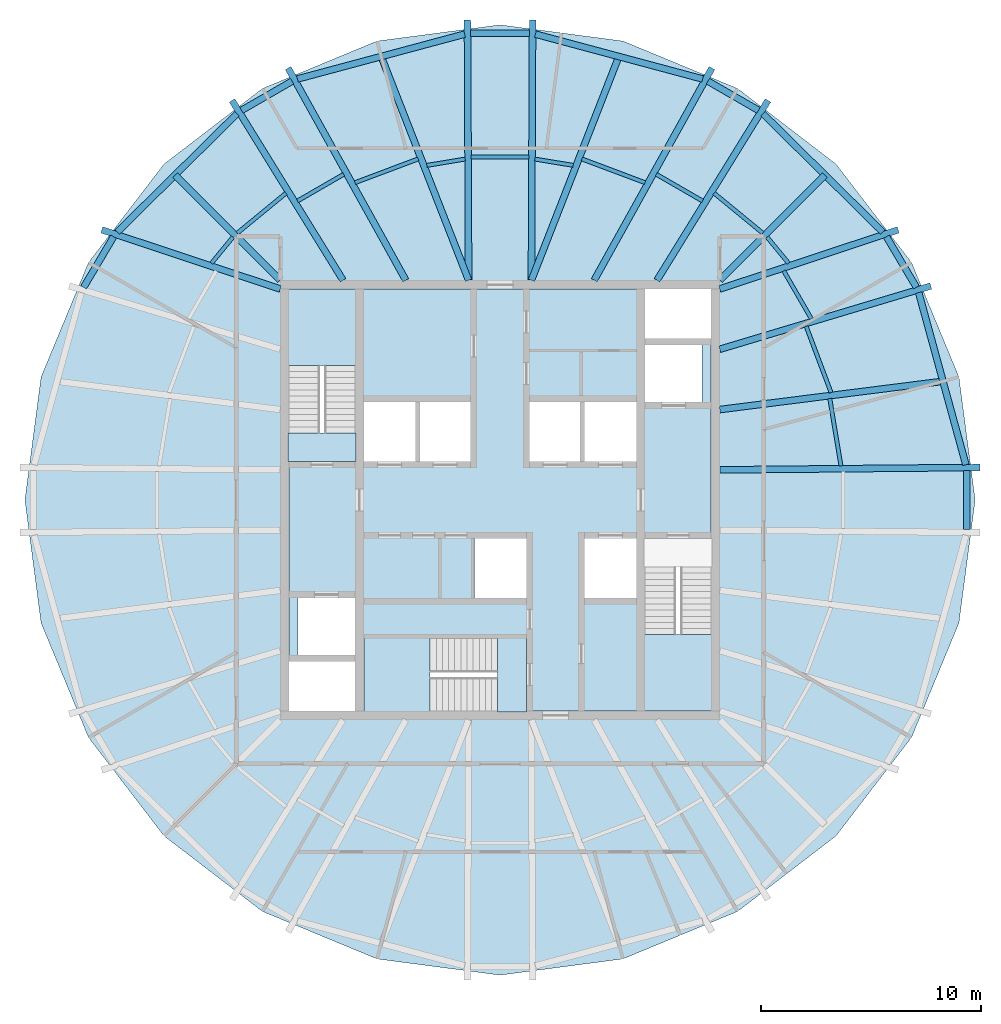
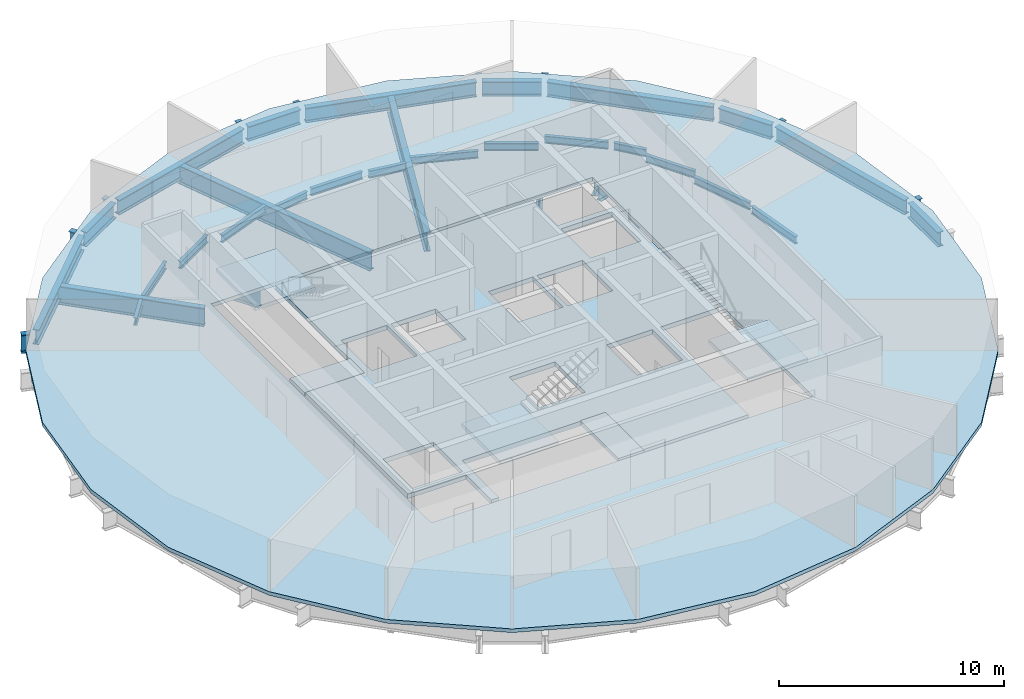
# One storey, part 2 of 6: 40 beams, 7 slabs, 3 elements without a shape of their own.
"""IFC4 building model written with IfcOpenShell, lengths in metres."""

from ifc_helpers import new_model, si_unit, direction, frame, origin, origin_2d, place, context, subcontext, project, spatial, polyline, i_section, outline, extrude, material, layer, layer_set, material_profile, profile_set, type_object, element, aggregate, save


model = new_model("IFC4")

# Units and contexts
model_context = context("Model", 3, precision=1e-05, world=origin(), true_north=direction((0.0, 1.0)))
body_context = subcontext(model_context, "Body", "Model", "MODEL_VIEW")
ifc_project = project(units=[si_unit("LENGTHUNIT", "METRE"), si_unit("AREAUNIT", "SQUARE_METRE"), si_unit("VOLUMEUNIT", "CUBIC_METRE"), si_unit("PLANEANGLEUNIT", "RADIAN"), si_unit("MASSUNIT", "GRAM", prefix="KILO")], contexts=[model_context])

# Site, building, storey
site_placement = place(None, origin())
site = spatial("IfcSite", under=ifc_project, at=site_placement, CompositionType="ELEMENT")
building_placement = place(site_placement, origin())
building = spatial("IfcBuilding", under=site, at=building_placement, Name="Golbaran Civic Tower", CompositionType="ELEMENT")
storey_placement = place(building_placement, frame((0.0, 0.0, 276.0)))
storey = spatial("IfcBuildingStorey", under=building, at=storey_placement, Name="L67", CompositionType="ELEMENT", Elevation=276.0)

# Beams
ifc_material_1 = material(Name="Steel S355", Category="steel")
ifc_material_profile_1 = material_profile(ifc_material_1, i_section(OverallWidth=0.300048828125, OverallDepth=0.800048828125, WebThickness=0.017578125, FlangeThickness=0.032958984375, FilletRadius=0.030029296875, at=origin_2d()), Name="HEB 800")
ifc_profile_set_1 = profile_set([ifc_material_profile_1], Name="Steel S355")
beam_type_1 = type_object("IfcBeamType", Name="EDGE BEAM HEB 800", PredefinedType="BEAM", material=ifc_profile_set_1)
beam_1_placement = place(storey_placement, frame((21.19677734375, 1.603759765625, -0.60009765625), z_axis=(-0.264462655169, 0.964395927004, 0.0), x_axis=(-0.964395927004, -0.264462655169, 0.0)))
element("IfcBeam", 1, at=beam_1_placement, inside=storey, type_object=beam_type_1, Name="Edge beam 3.80 L67", PredefinedType="BEAM", context=body_context, shape_type="SweptSolid", body=[
    extrude(i_section(OverallWidth=0.300048828125, OverallDepth=0.800048828125, WebThickness=0.017578125, FlangeThickness=0.032958984375, FilletRadius=0.030029296875, at=origin_2d()), origin(), (0.0, 0.0, 1.0), 8.121826171875),
])
beam_2_placement = place(storey_placement, frame((18.946044921875, 9.67724609375, -0.60009765625), z_axis=(-0.509912443574, 0.860226307368, 0.0), x_axis=(-0.860226307368, -0.509912443574, 0.0)))
element("IfcBeam", 2, at=beam_2_placement, inside=storey, type_object=beam_type_1, Name="Edge beam 26.20 L67", PredefinedType="BEAM", context=body_context, shape_type="SweptSolid", body=[
    extrude(i_section(OverallWidth=0.300048828125, OverallDepth=0.800048828125, WebThickness=0.017578125, FlangeThickness=0.032958984375, FilletRadius=0.030029296875, at=origin_2d()), origin(), (0.0, 0.0, 1.0), 2.675537109375),
])
beam_3_placement = place(storey_placement, frame((17.41015625, 12.19580078125, -0.60009765625), z_axis=(-0.711498621038, 0.702687492604, 0.0), x_axis=(-0.702687492604, -0.711498621038, 0.0)))
element("IfcBeam", 3, at=beam_3_placement, inside=storey, type_object=beam_type_1, Name="Edge beam 33.80 L67", PredefinedType="BEAM", context=body_context, shape_type="SweptSolid", body=[
    extrude(i_section(OverallWidth=0.300048828125, OverallDepth=0.800048828125, WebThickness=0.017578125, FlangeThickness=0.032958984375, FilletRadius=0.030029296875, at=origin_2d()), origin(), (0.0, 0.0, 1.0), 7.6474609375),
])
beam_4_placement = place(storey_placement, frame((11.76123046875, 17.728271484375, -0.60009765625), z_axis=(-0.866188645751, 0.499717149968, 0.0), x_axis=(-0.499717149968, -0.866188645751, 0.0)))
element("IfcBeam", 4, at=beam_4_placement, inside=storey, type_object=beam_type_1, Name="Edge beam 56.20 L67", PredefinedType="BEAM", context=body_context, shape_type="SweptSolid", body=[
    extrude(i_section(OverallWidth=0.300048828125, OverallDepth=0.800048828125, WebThickness=0.017578125, FlangeThickness=0.032958984375, FilletRadius=0.030029296875, at=origin_2d()), origin(), (0.0, 0.0, 1.0), 2.65673828125),
])
beam_5_placement = place(storey_placement, frame((9.218017578125, 19.155517578125, -0.60009765625), z_axis=(-0.965839810381, 0.259139847732, 0.0), x_axis=(-0.259139847732, -0.965839810381, 0.0)))
element("IfcBeam", 5, at=beam_5_placement, inside=storey, type_object=beam_type_1, Name="Edge beam 63.80 L67", PredefinedType="BEAM", context=body_context, shape_type="SweptSolid", body=[
    extrude(i_section(OverallWidth=0.300048828125, OverallDepth=0.800048828125, WebThickness=0.017578125, FlangeThickness=0.032958984375, FilletRadius=0.030029296875, at=origin_2d()), origin(), (0.0, 0.0, 1.0), 7.8779296875),
])
beam_6_placement = place(storey_placement, frame((1.34912109375, 21.23193359375, -0.60009765625), z_axis=(-1.0, 0.0, 0.0), x_axis=(0.0, -1.0, 0.0)))
element("IfcBeam", 6, at=beam_6_placement, inside=storey, type_object=beam_type_1, Name="Edge beam 86.20 L67", PredefinedType="BEAM", context=body_context, shape_type="SweptSolid", body=[
    extrude(i_section(OverallWidth=0.300048828125, OverallDepth=0.800048828125, WebThickness=0.017578125, FlangeThickness=0.032958984375, FilletRadius=0.030029296875, at=origin_2d()), origin(), (0.0, 0.0, 1.0), 2.6982421875),
])
beam_7_placement = place(storey_placement, frame((-1.609130859375, 21.197021484375, -0.60009765625), z_axis=(-0.965839810381, -0.259139847732, 0.0), x_axis=(0.259139847732, -0.965839810381, 0.0)))
element("IfcBeam", 7, at=beam_7_placement, inside=storey, type_object=beam_type_1, Name="Edge beam 93.80 L67", PredefinedType="BEAM", context=body_context, shape_type="SweptSolid", body=[
    extrude(i_section(OverallWidth=0.300048828125, OverallDepth=0.800048828125, WebThickness=0.017578125, FlangeThickness=0.032958984375, FilletRadius=0.030029296875, at=origin_2d()), origin(), (0.0, 0.0, 1.0), 7.8779296875),
])
beam_8_placement = place(storey_placement, frame((-9.4599609375, 19.055908203125, -0.60009765625), z_axis=(-0.866188645751, -0.499717149968, 0.0), x_axis=(0.499717149968, -0.866188645751, 0.0)))
element("IfcBeam", 8, at=beam_8_placement, inside=storey, type_object=beam_type_1, Name="Edge beam 116.20 L67", PredefinedType="BEAM", context=body_context, shape_type="SweptSolid", body=[
    extrude(i_section(OverallWidth=0.300048828125, OverallDepth=0.800048828125, WebThickness=0.017578125, FlangeThickness=0.032958984375, FilletRadius=0.030029296875, at=origin_2d()), origin(), (0.0, 0.0, 1.0), 2.65673828125),
])
beam_9_placement = place(storey_placement, frame((-11.968994140625, 17.569580078125, -0.60009765625), z_axis=(-0.711498621038, -0.702687492604, 0.0), x_axis=(0.702687492604, -0.711498621038, 0.0)))
element("IfcBeam", 9, at=beam_9_placement, inside=storey, type_object=beam_type_1, Name="Edge beam 123.80 L67", PredefinedType="BEAM", context=body_context, shape_type="SweptSolid", body=[
    extrude(i_section(OverallWidth=0.300048828125, OverallDepth=0.800048828125, WebThickness=0.017578125, FlangeThickness=0.032958984375, FilletRadius=0.030029296875, at=origin_2d()), origin(), (0.0, 0.0, 1.0), 7.6474609375),
])
beam_10_placement = place(storey_placement, frame((-17.581787109375, 11.978759765625, -0.60009765625), z_axis=(-0.509912443574, -0.860226307368, 0.0), x_axis=(0.860226307368, -0.509912443574, 0.0)))
element("IfcBeam", 10, at=beam_10_placement, inside=storey, type_object=beam_type_1, Name="Edge beam 146.20 L67", PredefinedType="BEAM", context=body_context, shape_type="SweptSolid", body=[
    extrude(i_section(OverallWidth=0.300048828125, OverallDepth=0.800048828125, WebThickness=0.017578125, FlangeThickness=0.032958984375, FilletRadius=0.030029296875, at=origin_2d()), origin(), (0.0, 0.0, 1.0), 2.675537109375),
])
beam_11_placement = place(storey_placement, frame((21.232177734375, -1.343994140625, -0.60009765625), z_axis=(0.0, 1.0, 0.0), x_axis=(-1.0, 0.0, 0.0)))
element("IfcBeam", 11, at=beam_11_placement, inside=storey, type_object=beam_type_1, Name="Edge beam 356.20 L67", PredefinedType="BEAM", context=body_context, shape_type="SweptSolid", body=[
    extrude(i_section(OverallWidth=0.300048828125, OverallDepth=0.800048828125, WebThickness=0.017578125, FlangeThickness=0.032958984375, FilletRadius=0.030029296875, at=origin_2d()), origin(), (0.0, 0.0, 1.0), 2.68798828125),
])
ifc_material_profile_2 = material_profile(ifc_material_1, i_section(OverallWidth=0.179931640625, OverallDepth=0.39990234375, WebThickness=0.008544921875, FlangeThickness=0.013427734375, FilletRadius=0.02099609375, at=origin_2d()), Name="IPE 400")
ifc_profile_set_2 = profile_set([ifc_material_profile_2], Name="Steel S355")
beam_type_2 = type_object("IfcBeamType", Name="FLOOR INFILL BEAM IPE 400", PredefinedType="BEAM", material=ifc_profile_set_2)
beam_12_placement = place(storey_placement, frame((15.51220703125, 1.5517578125, -0.39990234375), z_axis=(-0.163354081332, 0.98656750611, 0.0), x_axis=(-0.98656750611, -0.163354081332, 0.0)))
element("IfcBeam", 12, at=beam_12_placement, inside=storey, type_object=beam_type_2, Name="Infill beam 9.40 L67", PredefinedType="BEAM", context=body_context, shape_type="SweptSolid", body=[
    extrude(i_section(OverallWidth=0.179931640625, OverallDepth=0.39990234375, WebThickness=0.008544921875, FlangeThickness=0.013427734375, FilletRadius=0.02099609375, at=origin_2d()), origin(), (0.0, 0.0, 1.0), 3.107177734375),
])
beam_13_placement = place(storey_placement, frame((15.062744140625, 4.886474609375, -0.39990234375), z_axis=(-0.351871123125, 0.93604845639, 0.0), x_axis=(-0.93604845639, -0.351871123125, 0.0)))
element("IfcBeam", 13, at=beam_13_placement, inside=storey, type_object=beam_type_2, Name="Infill beam 20.60 L67", PredefinedType="BEAM", context=body_context, shape_type="SweptSolid", body=[
    extrude(i_section(OverallWidth=0.179931640625, OverallDepth=0.39990234375, WebThickness=0.008544921875, FlangeThickness=0.013427734375, FilletRadius=0.02099609375, at=origin_2d()), origin(), (0.0, 0.0, 1.0), 3.219970703125),
])
beam_14_placement = place(storey_placement, frame((14.166748046875, 8.2431640625, -0.39990234375), z_axis=(-0.500001778212, 0.866024377131, 0.0), x_axis=(-0.866024377131, -0.500001778212, 0.0)))
element("IfcBeam", 14, at=beam_14_placement, inside=storey, type_object=beam_type_2, Name="Infill beam 30.00 L67", PredefinedType="BEAM", context=body_context, shape_type="SweptSolid", body=[
    extrude(i_section(OverallWidth=0.179931640625, OverallDepth=0.39990234375, WebThickness=0.008544921875, FlangeThickness=0.013427734375, FilletRadius=0.02099609375, at=origin_2d()), origin(), (0.0, 0.0, 1.0), 2.52197265625),
])
beam_15_placement = place(storey_placement, frame((13.127197265625, 10.774658203125, -0.39990234375), z_axis=(-0.634729286709, 0.772734580949, 0.0), x_axis=(-0.772734580949, -0.634729286709, 0.0)))
element("IfcBeam", 15, at=beam_15_placement, inside=storey, type_object=beam_type_2, Name="Infill beam 39.40 L67", PredefinedType="BEAM", context=body_context, shape_type="SweptSolid", body=[
    extrude(i_section(OverallWidth=0.179931640625, OverallDepth=0.39990234375, WebThickness=0.008544921875, FlangeThickness=0.013427734375, FilletRadius=0.02099609375, at=origin_2d()), origin(), (0.0, 0.0, 1.0), 1.540771484375),
])
beam_16_placement = place(storey_placement, frame((11.956298828125, 12.14013671875, -0.39990234375), z_axis=(-0.772738185777, 0.634724898079, 0.0), x_axis=(-0.634724898079, -0.772738185777, 0.0)))
element("IfcBeam", 16, at=beam_16_placement, inside=storey, type_object=beam_type_2, Name="Infill beam 50.60 L67", PredefinedType="BEAM", context=body_context, shape_type="SweptSolid", body=[
    extrude(i_section(OverallWidth=0.179931640625, OverallDepth=0.39990234375, WebThickness=0.008544921875, FlangeThickness=0.013427734375, FilletRadius=0.02099609375, at=origin_2d()), origin(), (0.0, 0.0, 1.0), 2.867431640625),
])
beam_17_placement = place(storey_placement, frame((9.2158203125, 13.60498046875, -0.39990234375), z_axis=(-0.866035116605, 0.499983176524, 0.0), x_axis=(-0.499983176524, -0.866035116605, 0.0)))
element("IfcBeam", 17, at=beam_17_placement, inside=storey, type_object=beam_type_2, Name="Infill beam 60.00 L67", PredefinedType="BEAM", context=body_context, shape_type="SweptSolid", body=[
    extrude(i_section(OverallWidth=0.179931640625, OverallDepth=0.39990234375, WebThickness=0.008544921875, FlangeThickness=0.013427734375, FilletRadius=0.02099609375, at=origin_2d()), origin(), (0.0, 0.0, 1.0), 2.431640625),
])
beam_18_placement = place(storey_placement, frame((6.599609375, 14.4375, -0.39990234375), z_axis=(-0.936083922818, 0.351776760804, 0.0), x_axis=(-0.351776760804, -0.936083922818, 0.0)))
element("IfcBeam", 18, at=beam_18_placement, inside=storey, type_object=beam_type_2, Name="Infill beam 69.40 L67", PredefinedType="BEAM", context=body_context, shape_type="SweptSolid", body=[
    extrude(i_section(OverallWidth=0.179931640625, OverallDepth=0.39990234375, WebThickness=0.008544921875, FlangeThickness=0.013427734375, FilletRadius=0.02099609375, at=origin_2d()), origin(), (0.0, 0.0, 1.0), 3.071044921875),
])
beam_19_placement = place(storey_placement, frame((3.330810546875, 15.223876953125, -0.39990234375), z_axis=(-0.986568466823, 0.163348279053, 0.0), x_axis=(-0.163348279053, -0.986568466823, 0.0)))
element("IfcBeam", 19, at=beam_19_placement, inside=storey, type_object=beam_type_2, Name="Infill beam 80.60 L67", PredefinedType="BEAM", context=body_context, shape_type="SweptSolid", body=[
    extrude(i_section(OverallWidth=0.179931640625, OverallDepth=0.39990234375, WebThickness=0.008544921875, FlangeThickness=0.013427734375, FilletRadius=0.02099609375, at=origin_2d()), origin(), (0.0, 0.0, 1.0), 1.77099609375),
])
beam_20_placement = place(storey_placement, frame((1.323974609375, 15.615966796875, -0.39990234375), z_axis=(-1.0, 0.0, 0.0), x_axis=(0.0, -1.0, 0.0)))
element("IfcBeam", 20, at=beam_20_placement, inside=storey, type_object=beam_type_2, Name="Infill beam 90.00 L67", PredefinedType="BEAM", context=body_context, shape_type="SweptSolid", body=[
    extrude(i_section(OverallWidth=0.179931640625, OverallDepth=0.39990234375, WebThickness=0.008544921875, FlangeThickness=0.013427734375, FilletRadius=0.02099609375, at=origin_2d()), origin(), (0.0, 0.0, 1.0), 2.64794921875),
])
beam_21_placement = place(storey_placement, frame((-1.58349609375, 15.51318359375, -0.39990234375), z_axis=(-0.986568466823, -0.163348279053, 0.0), x_axis=(0.163348279053, -0.986568466823, 0.0)))
element("IfcBeam", 21, at=beam_21_placement, inside=storey, type_object=beam_type_2, Name="Infill beam 99.40 L67", PredefinedType="BEAM", context=body_context, shape_type="SweptSolid", body=[
    extrude(i_section(OverallWidth=0.179931640625, OverallDepth=0.39990234375, WebThickness=0.008544921875, FlangeThickness=0.013427734375, FilletRadius=0.02099609375, at=origin_2d()), origin(), (0.0, 0.0, 1.0), 1.77099609375),
])
beam_22_placement = place(storey_placement, frame((-3.724853515625, 15.517822265625, -0.39990234375), z_axis=(-0.936083922818, -0.351776760804, 0.0), x_axis=(0.351776760804, -0.936083922818, 0.0)))
element("IfcBeam", 22, at=beam_22_placement, inside=storey, type_object=beam_type_2, Name="Infill beam 110.60 L67", PredefinedType="BEAM", context=body_context, shape_type="SweptSolid", body=[
    extrude(i_section(OverallWidth=0.179931640625, OverallDepth=0.39990234375, WebThickness=0.008544921875, FlangeThickness=0.013427734375, FilletRadius=0.02099609375, at=origin_2d()), origin(), (0.0, 0.0, 1.0), 3.071044921875),
])
beam_23_placement = place(storey_placement, frame((-7.10986328125, 14.82080078125, -0.39990234375), z_axis=(-0.866035116605, -0.499983176524, 0.0), x_axis=(0.499983176524, -0.866035116605, 0.0)))
element("IfcBeam", 23, at=beam_23_placement, inside=storey, type_object=beam_type_2, Name="Infill beam 120.00 L67", PredefinedType="BEAM", context=body_context, shape_type="SweptSolid", body=[
    extrude(i_section(OverallWidth=0.179931640625, OverallDepth=0.39990234375, WebThickness=0.008544921875, FlangeThickness=0.013427734375, FilletRadius=0.02099609375, at=origin_2d()), origin(), (0.0, 0.0, 1.0), 2.431640625),
])
beam_24_placement = place(storey_placement, frame((-9.740478515625, 13.960205078125, -0.39990234375), z_axis=(-0.772738185777, -0.634724898079, 0.0), x_axis=(0.634724898079, -0.772738185777, 0.0)))
element("IfcBeam", 24, at=beam_24_placement, inside=storey, type_object=beam_type_2, Name="Infill beam 129.40 L67", PredefinedType="BEAM", context=body_context, shape_type="SweptSolid", body=[
    extrude(i_section(OverallWidth=0.179931640625, OverallDepth=0.39990234375, WebThickness=0.008544921875, FlangeThickness=0.013427734375, FilletRadius=0.02099609375, at=origin_2d()), origin(), (0.0, 0.0, 1.0), 2.867431640625),
])
beam_25_placement = place(storey_placement, frame((-12.149169921875, 11.96533203125, -0.39990234375), z_axis=(-0.634729286709, -0.772734580949, 0.0), x_axis=(0.772734580949, -0.634729286709, 0.0)))
element("IfcBeam", 25, at=beam_25_placement, inside=storey, type_object=beam_type_2, Name="Infill beam 140.60 L67", PredefinedType="BEAM", context=body_context, shape_type="SweptSolid", body=[
    extrude(i_section(OverallWidth=0.179931640625, OverallDepth=0.39990234375, WebThickness=0.008544921875, FlangeThickness=0.013427734375, FilletRadius=0.02099609375, at=origin_2d()), origin(), (0.0, 0.0, 1.0), 1.540771484375),
])
ifc_material_profile_3 = material_profile(ifc_material_1, i_section(OverallWidth=0.300048828125, OverallDepth=1.0, WebThickness=0.01904296875, FlangeThickness=0.035888671875, FilletRadius=0.030029296875, at=origin_2d()), Name="HEB 1000")
ifc_profile_set_3 = profile_set([ifc_material_profile_3], Name="Steel S355")
beam_type_3 = type_object("IfcBeamType", Name="RADIAL FLOOR BEAM HEB 1000", PredefinedType="BEAM", material=ifc_profile_set_3)
beam_26_placement = place(storey_placement, frame((10.0, 1.371337890625, -0.7099609375), z_axis=(0.999958085099, 0.009155765689, 0.0), x_axis=(-0.009155765689, 0.999958085099, 0.0)))
element("IfcBeam", 26, at=beam_26_placement, inside=storey, type_object=beam_type_3, Name="Radial beam 3.80 L67", PredefinedType="BEAM", context=body_context, shape_type="SweptSolid", body=[
    extrude(i_section(OverallWidth=0.300048828125, OverallDepth=1.0, WebThickness=0.01904296875, FlangeThickness=0.035888671875, FilletRadius=0.030029296875, at=origin_2d()), origin(), (0.0, 0.0, 1.0), 11.83935546875),
])
beam_27_placement = place(storey_placement, frame((10.0, 6.857177734375, -0.7099609375), z_axis=(0.957814217612, 0.287388107863, 0.0), x_axis=(-0.287388107863, 0.957814217612, 0.0)))
element("IfcBeam", 27, at=beam_27_placement, inside=storey, type_object=beam_type_3, Name="Radial beam 26.20 L67", PredefinedType="BEAM", context=body_context, shape_type="SweptSolid", body=[
    extrude(i_section(OverallWidth=0.300048828125, OverallDepth=1.0, WebThickness=0.01904296875, FlangeThickness=0.035888671875, FilletRadius=0.030029296875, at=origin_2d()), origin(), (0.0, 0.0, 1.0), 10.0234375),
])
beam_28_placement = place(storey_placement, frame((10.0, 9.60009765625, -0.7099609375), z_axis=(0.949116429878, 0.314925392013, 0.0), x_axis=(-0.314925392013, 0.949116429878, 0.0)))
element("IfcBeam", 28, at=beam_28_placement, inside=storey, type_object=beam_type_3, Name="Radial beam 33.80 L67", PredefinedType="BEAM", context=body_context, shape_type="SweptSolid", body=[
    extrude(i_section(OverallWidth=0.300048828125, OverallDepth=1.0, WebThickness=0.01904296875, FlangeThickness=0.035888671875, FilletRadius=0.030029296875, at=origin_2d()), origin(), (0.0, 0.0, 1.0), 8.550048828125),
])
beam_29_placement = place(storey_placement, frame((7.142822265625, 10.0, -0.7099609375), z_axis=(0.525324151608, 0.850902189289, 0.0), x_axis=(-0.850902189289, 0.525324151608, 0.0)))
element("IfcBeam", 29, at=beam_29_placement, inside=storey, type_object=beam_type_3, Name="Radial beam 56.20 L67", PredefinedType="BEAM", context=body_context, shape_type="SweptSolid", body=[
    extrude(i_section(OverallWidth=0.300048828125, OverallDepth=1.0, WebThickness=0.01904296875, FlangeThickness=0.035888671875, FilletRadius=0.030029296875, at=origin_2d()), origin(), (0.0, 0.0, 1.0), 9.61181640625),
])
beam_30_placement = place(storey_placement, frame((4.28564453125, 10.0, -0.7099609375), z_axis=(0.485242863402, 0.874379416225, 0.0), x_axis=(-0.874379416225, 0.485242863402, 0.0)))
element("IfcBeam", 30, at=beam_30_placement, inside=storey, type_object=beam_type_3, Name="Radial beam 63.80 L67", PredefinedType="BEAM", context=body_context, shape_type="SweptSolid", body=[
    extrude(i_section(OverallWidth=0.300048828125, OverallDepth=1.0, WebThickness=0.01904296875, FlangeThickness=0.035888671875, FilletRadius=0.030029296875, at=origin_2d()), origin(), (0.0, 0.0, 1.0), 11.03759765625),
])
for number, where, z_axis, x_axis, name in (
    (31, (1.428466796875, 10.0, -0.7099609375), (0.004516162803, 0.999989802085, 0.0), (-0.999989802085, 0.004516162803, 0.0), "Radial beam 86.20 L67"),
    (32, (-1.428466796875, 10.0, -0.7099609375), (-0.004516162803, 0.999989802085, 0.0), (-0.999989802085, -0.004516162803, 0.0), "Radial beam 93.80 L67"),
):
    element("IfcBeam", number, at=place(storey_placement, frame(where, z_axis=z_axis, x_axis=x_axis)), inside=storey, type_object=beam_type_3, Name=name, PredefinedType="BEAM", context=body_context, shape_type="SweptSolid", body=[
        extrude(i_section(OverallWidth=0.300048828125, OverallDepth=1.0, WebThickness=0.01904296875, FlangeThickness=0.035888671875, FilletRadius=0.030029296875, at=origin_2d()), origin(), (0.0, 0.0, 1.0), 11.8388671875),
    ])
beam_31_placement = place(storey_placement, frame((-4.28564453125, 10.0, -0.7099609375), z_axis=(-0.485242863402, 0.874379416225, 0.0), x_axis=(-0.874379416225, -0.485242863402, 0.0)))
element("IfcBeam", 33, at=beam_31_placement, inside=storey, type_object=beam_type_3, Name="Radial beam 116.20 L67", PredefinedType="BEAM", context=body_context, shape_type="SweptSolid", body=[
    extrude(i_section(OverallWidth=0.300048828125, OverallDepth=1.0, WebThickness=0.01904296875, FlangeThickness=0.035888671875, FilletRadius=0.030029296875, at=origin_2d()), origin(), (0.0, 0.0, 1.0), 11.03759765625),
])
beam_32_placement = place(storey_placement, frame((-7.142822265625, 10.0, -0.7099609375), z_axis=(-0.525324151608, 0.850902189289, 0.0), x_axis=(-0.850902189289, -0.525324151608, 0.0)))
element("IfcBeam", 34, at=beam_32_placement, inside=storey, type_object=beam_type_3, Name="Radial beam 123.80 L67", PredefinedType="BEAM", context=body_context, shape_type="SweptSolid", body=[
    extrude(i_section(OverallWidth=0.300048828125, OverallDepth=1.0, WebThickness=0.01904296875, FlangeThickness=0.035888671875, FilletRadius=0.030029296875, at=origin_2d()), origin(), (0.0, 0.0, 1.0), 9.61181640625),
])
beam_33_placement = place(storey_placement, frame((-10.0, 9.60009765625, -0.7099609375), z_axis=(-0.949116429878, 0.314925392013, 0.0), x_axis=(-0.314925392013, -0.949116429878, 0.0)))
element("IfcBeam", 35, at=beam_33_placement, inside=storey, type_object=beam_type_3, Name="Radial beam 146.20 L67", PredefinedType="BEAM", context=body_context, shape_type="SweptSolid", body=[
    extrude(i_section(OverallWidth=0.300048828125, OverallDepth=1.0, WebThickness=0.01904296875, FlangeThickness=0.035888671875, FilletRadius=0.030029296875, at=origin_2d()), origin(), (0.0, 0.0, 1.0), 8.550048828125),
])
ifc_material_profile_4 = material_profile(ifc_material_1, i_section(OverallWidth=0.300048828125, OverallDepth=1.0, WebThickness=0.01904296875, FlangeThickness=0.035888671875, FilletRadius=0.030029296875, at=origin_2d()), Name="HEB 1000")
ifc_profile_set_4 = profile_set([ifc_material_profile_4], Name="Steel S355")
beam_type_4 = type_object("IfcBeamType", Name="SECONDARY FLOOR BEAM HEB 1000", PredefinedType="BEAM", material=ifc_profile_set_4)
beam_34_placement = place(storey_placement, frame((10.0, 4.1142578125, -0.7099609375), z_axis=(0.992072900265, 0.12566368035, 0.0), x_axis=(-0.12566368035, 0.992072900265, 0.0)))
element("IfcBeam", 36, at=beam_34_placement, inside=storey, type_object=beam_type_4, Name="Secondary beam 15.00 L67", PredefinedType="BEAM", context=body_context, shape_type="SweptSolid", body=[
    extrude(i_section(OverallWidth=0.300048828125, OverallDepth=1.0, WebThickness=0.01904296875, FlangeThickness=0.035888671875, FilletRadius=0.030029296875, at=origin_2d()), origin(), (0.0, 0.0, 1.0), 10.236572265625),
])
beam_35_placement = place(storey_placement, frame((10.0, 10.0, -0.7099609375), z_axis=(0.707106781187, 0.707106781187, 0.0), x_axis=(-0.707106781187, 0.707106781187, 0.0)))
element("IfcBeam", 37, at=beam_35_placement, inside=storey, type_object=beam_type_4, Name="Secondary beam 45.00 L67", PredefinedType="BEAM", context=body_context, shape_type="SweptSolid", body=[
    extrude(i_section(OverallWidth=0.300048828125, OverallDepth=1.0, WebThickness=0.01904296875, FlangeThickness=0.035888671875, FilletRadius=0.030029296875, at=origin_2d()), origin(), (0.0, 0.0, 1.0), 6.769287109375),
])
for number, where, z_axis, x_axis, name in (
    (38, (1.428466796875, 10.0, -0.7099609375), (0.364041321471, 0.93138279792, 0.0), (-0.93138279792, 0.364041321471, 0.0), "Secondary beam 75.00 L67"),
    (39, (-1.428466796875, 10.0, -0.7099609375), (-0.364041321471, 0.93138279792, 0.0), (-0.93138279792, -0.364041321471, 0.0), "Secondary beam 105.00 L67"),
):
    element("IfcBeam", number, at=place(storey_placement, frame(where, z_axis=z_axis, x_axis=x_axis)), inside=storey, type_object=beam_type_4, Name=name, PredefinedType="BEAM", context=body_context, shape_type="SweptSolid", body=[
        extrude(i_section(OverallWidth=0.300048828125, OverallDepth=1.0, WebThickness=0.01904296875, FlangeThickness=0.035888671875, FilletRadius=0.030029296875, at=origin_2d()), origin(), (0.0, 0.0, 1.0), 10.927978515625),
    ])
beam_36_placement = place(storey_placement, frame((-10.0, 10.0, -0.7099609375), z_axis=(-0.707106781187, 0.707106781187, 0.0), x_axis=(-0.707106781187, -0.707106781187, 0.0)))
element("IfcBeam", 40, at=beam_36_placement, inside=storey, type_object=beam_type_4, Name="Secondary beam 135.00 L67", PredefinedType="BEAM", context=body_context, shape_type="SweptSolid", body=[
    extrude(i_section(OverallWidth=0.300048828125, OverallDepth=1.0, WebThickness=0.01904296875, FlangeThickness=0.035888671875, FilletRadius=0.030029296875, at=origin_2d()), origin(), (0.0, 0.0, 1.0), 6.769287109375),
])

# Slabs
ifc_material_2 = material(Name="Concrete LC30/33 lightweight on steel deck", Category="concrete")
ifc_layer_1 = layer(ifc_material_2, 0.199951171875, Name="Concrete LC30/33 lightweight on steel deck")
ifc_layer_set_1 = layer_set([ifc_layer_1], Name="Concrete LC30/33 lightweight on steel deck")
slab_type_1 = type_object("IfcSlabType", Name="COMPOSITE FLOOR SLAB 200", PredefinedType="FLOOR", material=ifc_layer_set_1)
slab_1_placement = place(storey_placement, frame((0.0, 0.0, -0.199951171875)))
element("IfcSlab", 41, at=slab_1_placement, inside=storey, type_object=slab_type_1, Name="Floor slab L67", PredefinedType="FLOOR", context=body_context, shape_type="SweptSolid", body=[
    extrude(outline(polyline([(18.721923828125, -10.80908203125), (15.286376953125, -15.286376953125), (10.80908203125, -18.721923828125), (5.59521484375, -20.881591796875), (0.0, -21.618408203125), (-5.59521484375, -20.881591796875), (-10.80908203125, -18.721923828125), (-15.286376953125, -15.286376953125), (-18.721923828125, -10.80908203125), (-20.881591796875, -5.59521484375), (-21.618408203125, 0.0), (-20.881591796875, 5.59521484375), (-18.721923828125, 10.80908203125), (-15.286376953125, 15.286376953125), (-10.80908203125, 18.721923828125), (-5.59521484375, 20.881591796875), (0.0, 21.618408203125), (5.59521484375, 20.881591796875), (10.80908203125, 18.721923828125), (15.286376953125, 15.286376953125), (18.721923828125, 10.80908203125), (20.881591796875, 5.59521484375), (21.618408203125, 0.0), (20.881591796875, -5.59521484375), (18.721923828125, -10.80908203125)]), holes=[polyline([(-9.800048828125, 9.800048828125), (-9.800048828125, -9.800048828125), (9.800048828125, -9.800048828125), (9.800048828125, 9.800048828125), (-9.800048828125, 9.800048828125)])]), origin(), (0.0, 0.0, 1.0), 0.199951171875),
])
ifc_material_3 = material(Name="Concrete C35/45", Category="concrete")
ifc_layer_2 = layer(ifc_material_3, 0.25, Name="Concrete C35/45")
ifc_layer_set_2 = layer_set([ifc_layer_2], Name="Concrete C35/45")
slab_type_2 = type_object("IfcSlabType", Name="CORE FLOOR SLAB 250", PredefinedType="FLOOR", material=ifc_layer_set_2)
slab_2_placement = place(storey_placement, frame((0.0, 0.0, -0.25)))
element("IfcSlab", 42, at=slab_2_placement, inside=storey, type_object=slab_type_2, Name="Core floor slab L67", PredefinedType="FLOOR", context=body_context, shape_type="SweptSolid", body=[
    extrude(outline(polyline([(6.60009765625, -1.75), (6.60009765625, -9.60009765625), (1.199951171875, -9.60009765625), (1.199951171875, -6.300048828125), (-6.199951171875, -6.300048828125), (-6.199951171875, -9.60009765625), (-6.60009765625, -9.60009765625), (-6.60009765625, -7.35009765625), (-9.60009765625, -7.35009765625), (-9.60009765625, 1.75), (-6.60009765625, 1.75), (-6.60009765625, 9.60009765625), (6.60009765625, 9.60009765625), (6.60009765625, 7.35009765625), (9.60009765625, 7.35009765625), (9.60009765625, -1.75), (6.60009765625, -1.75)]), holes=[polyline([(9.199951171875, 7.050048828125), (6.60009765625, 7.050048828125), (6.60009765625, 4.449951171875), (9.199951171875, 4.449951171875), (9.199951171875, 7.050048828125)]), polyline([(6.199951171875, -1.75), (3.85009765625, -1.75), (3.85009765625, -4.449951171875), (6.199951171875, -4.449951171875), (6.199951171875, -1.75)]), polyline([(6.199951171875, 4.449951171875), (3.85009765625, 4.449951171875), (3.85009765625, 1.75), (6.199951171875, 1.75), (6.199951171875, 4.449951171875)]), polyline([(3.64990234375, 4.449951171875), (1.35009765625, 4.449951171875), (1.35009765625, 1.75), (3.64990234375, 1.75), (3.64990234375, 4.449951171875)]), polyline([(-1.14990234375, -1.75), (-1.14990234375, -4.449951171875), (1.199951171875, -4.449951171875), (1.199951171875, -1.75), (-1.14990234375, -1.75)]), polyline([(-1.35009765625, 4.449951171875), (-3.64990234375, 4.449951171875), (-3.64990234375, 1.75), (-1.35009765625, 1.75), (-1.35009765625, 4.449951171875)]), polyline([(-3.85009765625, 4.449951171875), (-6.199951171875, 4.449951171875), (-6.199951171875, 1.75), (-3.85009765625, 1.75), (-3.85009765625, 4.449951171875)]), polyline([(-6.60009765625, -4.449951171875), (-9.199951171875, -4.449951171875), (-9.199951171875, -7.050048828125), (-6.60009765625, -7.050048828125), (-6.60009765625, -4.449951171875)])]), origin(), (0.0, 0.0, 1.0), 0.25),
])

# Stair, slab
stair_type_1 = type_object("IfcStairType", Name="EXIT STAIR 3000 x 7850, 4000 RISE", PredefinedType="HALF_TURN_STAIR", material=ifc_material_3)
stair_1_placement = place(storey_placement, origin())
stair_1 = element("IfcStair", 43, at=stair_1_placement, inside=storey, type_object=stair_type_1, Name="Stair S1 L67", PredefinedType="HALF_TURN_STAIR")
ifc_layer_3 = layer(ifc_material_3, 0.199951171875, Name="Concrete C35/45")
ifc_layer_set_3 = layer_set([ifc_layer_3], Name="Concrete C35/45")
slab_type_3 = type_object("IfcSlabType", Name="STAIR LANDING 200", PredefinedType="LANDING", material=ifc_layer_set_3)
slab_3_placement = place(storey_placement, frame((0.0, 0.0, 1.800048828125)))
slab_3 = element("IfcSlab", 44, at=slab_3_placement, type_object=slab_type_3, Name="ST30078-40 landing 1", PredefinedType="LANDING", context=body_context, shape_type="SweptSolid", body=[
    extrude(outline(polyline([(-9.64990234375, 6.125), (-9.64990234375, 9.60009765625), (-6.550048828125, 9.60009765625), (-6.550048828125, 6.125), (-9.64990234375, 6.125)])), origin(), (0.0, 0.0, 1.0), 0.199951171875),
])
aggregate(stair_1, [slab_3])

# Slab
slab_4_placement = place(storey_placement, frame((0.0, 0.0, -0.199951171875)))
element("IfcSlab", 45, at=slab_4_placement, inside=storey, type_object=slab_type_3, Name="Stair S1 floor landing L67", PredefinedType="LANDING", context=body_context, shape_type="SweptSolid", body=[
    extrude(outline(polyline([(-9.64990234375, 1.75), (-9.64990234375, 3.054931640625), (-6.550048828125, 3.054931640625), (-6.550048828125, 1.75), (-9.64990234375, 1.75)])), origin(), (0.0, 0.0, 1.0), 0.199951171875),
])

# Stair, slab
stair_2_placement = place(storey_placement, origin())
stair_2 = element("IfcStair", 46, at=stair_2_placement, inside=storey, type_object=stair_type_1, Name="Stair S2 L67", PredefinedType="HALF_TURN_STAIR")
slab_5_placement = place(storey_placement, frame((0.0, 0.0, 1.800048828125)))
slab_5 = element("IfcSlab", 47, at=slab_5_placement, type_object=slab_type_3, Name="ST30078-40 landing 1", PredefinedType="LANDING", context=body_context, shape_type="SweptSolid", body=[
    extrude(outline(polyline([(9.64990234375, -6.125), (9.64990234375, -9.60009765625), (6.550048828125, -9.60009765625), (6.550048828125, -6.125), (9.64990234375, -6.125)])), origin(), (0.0, 0.0, 1.0), 0.199951171875),
])
aggregate(stair_2, [slab_5])

stair_type_2 = type_object("IfcStairType", Name="EXIT STAIR 3300 x 7400, 4000 RISE", PredefinedType="HALF_TURN_STAIR", material=ifc_material_3)
stair_3_placement = place(storey_placement, origin())
stair_3 = element("IfcStair", 48, at=stair_3_placement, inside=storey, type_object=stair_type_2, Name="Stair S3 L67", PredefinedType="HALF_TURN_STAIR")
slab_6_placement = place(storey_placement, frame((0.0, 0.0, 1.800048828125)))
slab_6 = element("IfcSlab", 49, at=slab_6_placement, type_object=slab_type_3, Name="ST33074-40 landing 1", PredefinedType="LANDING", context=body_context, shape_type="SweptSolid", body=[
    extrude(outline(polyline([(-3.175048828125, -9.64990234375), (-6.199951171875, -9.64990234375), (-6.199951171875, -6.25), (-3.175048828125, -6.25), (-3.175048828125, -9.64990234375)])), origin(), (0.0, 0.0, 1.0), 0.199951171875),
])
aggregate(stair_3, [slab_6])

# Slab
slab_7_placement = place(storey_placement, frame((0.0, 0.0, -0.199951171875)))
element("IfcSlab", 50, at=slab_7_placement, inside=storey, type_object=slab_type_3, Name="Stair S3 floor landing L67", PredefinedType="LANDING", context=body_context, shape_type="SweptSolid", body=[
    extrude(outline(polyline([(1.199951171875, -9.64990234375), (-0.10498046875, -9.64990234375), (-0.10498046875, -6.25), (1.199951171875, -6.25), (1.199951171875, -9.64990234375)])), origin(), (0.0, 0.0, 1.0), 0.199951171875),
])

save(model, "model.ifc")
